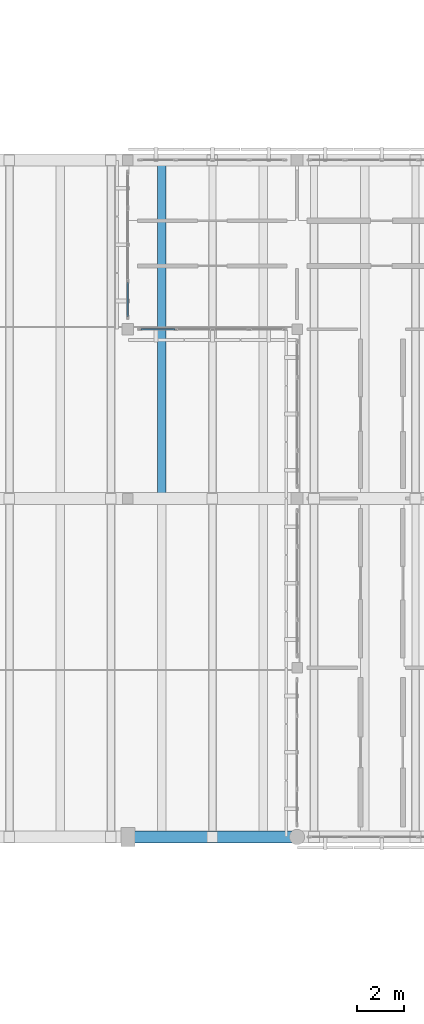
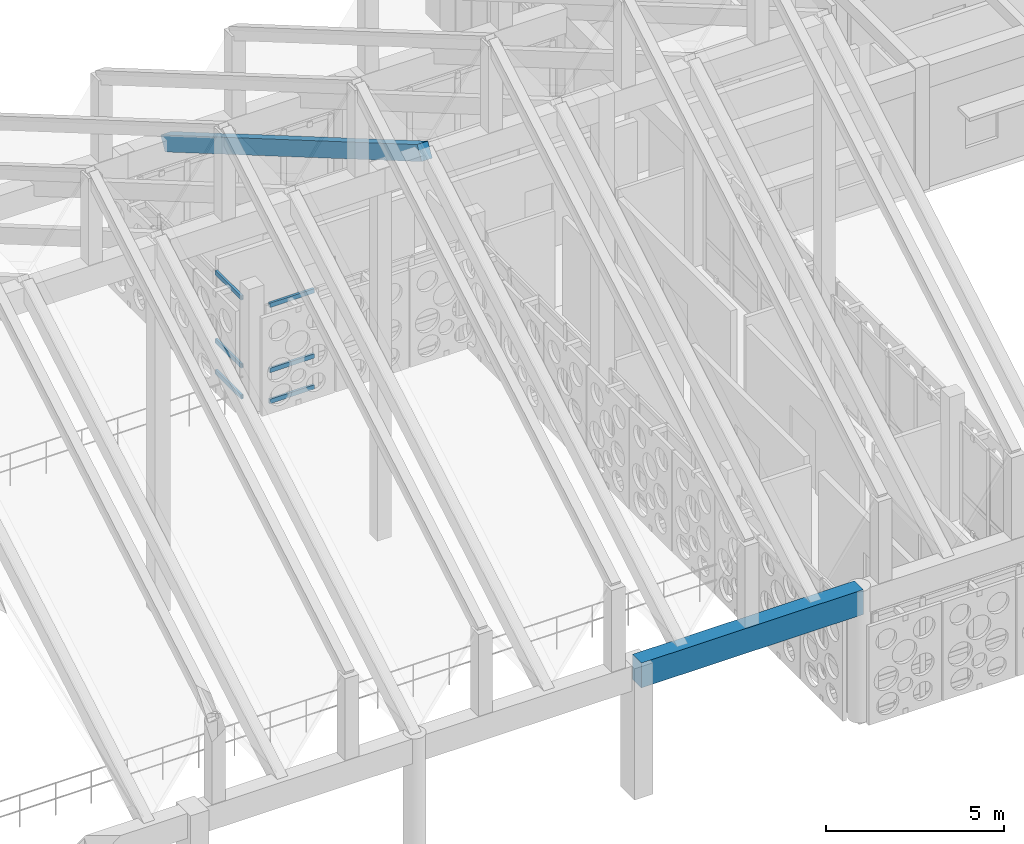
# One storey, part 34 of 171: 6 members, 2 beams, 2 elements without a shape of their own.
"""IFC4 building model written with IfcOpenShell, lengths in metres."""

from ifc_helpers import new_model, si_unit, direction, frame, origin, origin_2d, place, context, subcontext, project, spatial, rectangle, hollow_rectangle, extrude, material, material_profile, profile_set, type_object, element, aggregate, save


model = new_model("IFC4")

# Units and contexts
model_context = context("Model", 3, precision=1e-05, world=origin(), true_north=direction((0.0, 1.0)))
body_context = subcontext(model_context, "Body", "Model", "MODEL_VIEW")
ifc_project = project(units=[si_unit("LENGTHUNIT", "METRE"), si_unit("AREAUNIT", "SQUARE_METRE"), si_unit("VOLUMEUNIT", "CUBIC_METRE"), si_unit("PLANEANGLEUNIT", "RADIAN"), si_unit("MASSUNIT", "GRAM", prefix="KILO")], contexts=[model_context])

# Site, building, storey
site_placement = place(None, origin())
site = spatial("IfcSite", under=ifc_project, at=site_placement, CompositionType="ELEMENT")
building_placement = place(site_placement, origin())
building = spatial("IfcBuilding", under=site, at=building_placement, Name="Aldebral Square Health Centre", CompositionType="ELEMENT")
storey_placement = place(building_placement, frame((0.0, 0.0, 4.5)))
storey = spatial("IfcBuildingStorey", under=building, at=storey_placement, Name="L01", CompositionType="ELEMENT", Elevation=4.5)

# Beams
ifc_material_1 = material(Name="Concrete C40/50", Category="concrete")
ifc_material_profile_1 = material_profile(ifc_material_1, rectangle(XDim=0.5, YDim=0.85009765625, at=origin_2d()), Name="RC 500x850")
ifc_profile_set_1 = profile_set([ifc_material_profile_1], Name="Concrete C40/50")
beam_type_1 = type_object("IfcBeamType", Name="BM-G1", PredefinedType="T_BEAM", material=ifc_profile_set_1)
beam_1_placement = place(storey_placement, frame((93.60009765625, 72.0, 4.074951171875), z_axis=(1.0, 0.0, 0.0), x_axis=(0.0, 1.0, 0.0)))
element("IfcBeam", 1, at=beam_1_placement, inside=storey, type_object=beam_type_1, Name="Waiting Hall diaphragm girder EAVE-S 14", PredefinedType="T_BEAM", context=body_context, shape_type="SweptSolid", body=[
    extrude(rectangle(XDim=0.5, YDim=0.85009765625, at=origin_2d()), origin(), (0.0, 0.0, 1.0), 7.199951171875),
])
ifc_material_profile_2 = material_profile(ifc_material_1, rectangle(XDim=0.35009765625, YDim=0.5, at=origin_2d()), Name="RC 350x500")
ifc_profile_set_2 = profile_set([ifc_material_profile_2], Name="Concrete C40/50")
beam_type_2 = type_object("IfcBeamType", Name="BM-SP1", PredefinedType="SPANDREL", material=ifc_profile_set_2)
beam_2_placement = place(storey_placement, frame((95.0400390625, 86.39990234375, 12.64990234375), z_axis=(0.0, 0.863783681228, -0.503862830584), x_axis=(-1.0, 0.0, 0.0)))
element("IfcBeam", 2, at=beam_2_placement, inside=storey, type_object=beam_type_2, Name="Folded-plate north valley beam 8", PredefinedType="SPANDREL", context=body_context, shape_type="SweptSolid", body=[
    extrude(rectangle(XDim=0.35009765625, YDim=0.5, at=origin_2d()), origin(), (0.0, 0.0, 1.0), 16.6708984375),
])

# Curtain wall, members
ifc_material_2 = material(Name="Aluminium and low-E solar glass", Category="aluminium")
curtain_wall_type = type_object("IfcCurtainWallType", Name="CW-HALL-SYS", PredefinedType="USERDEFINED", material=ifc_material_2)
curtain_wall_1_placement = place(storey_placement, origin())
curtain_wall_1 = element("IfcCurtainWall", 3, at=curtain_wall_1_placement, inside=storey, type_object=curtain_wall_type, Name="L01 V1 hall curtain wall L01-V1-13-13-S", ObjectType="HALL_CURTAIN_WALL", PredefinedType="USERDEFINED")
ifc_material_3 = material(Name="Anodised aluminium transom", Category="aluminium")
ifc_material_profile_3 = material_profile(ifc_material_3, hollow_rectangle(XDim=0.074951171875, YDim=0.14990234375, WallThickness=0.00390625, at=origin_2d()), Name="CWT 75x150x4")
ifc_profile_set_3 = profile_set([ifc_material_profile_3], Name="Anodised aluminium transom")
member_type = type_object("IfcMemberType", Name="CWT-STD", PredefinedType="USERDEFINED", material=ifc_profile_set_3)
member_1_placement = place(storey_placement, frame((94.155029296875, 93.60009765625, 0.03759765625), z_axis=(1.0, 0.0, 0.0), x_axis=(0.0, 1.0, 0.0)))
member_1 = element("IfcMember", 4, at=member_1_placement, type_object=member_type, Name="CW2 transom 1.1", ObjectType="TRANSOM", PredefinedType="USERDEFINED", context=body_context, shape_type="SweptSolid", body=[
    extrude(hollow_rectangle(XDim=0.074951171875, YDim=0.14990234375, WallThickness=0.00390625, at=origin_2d()), origin(), (0.0, 0.0, 1.0), 1.447509765625),
])
member_2_placement = place(storey_placement, frame((94.155029296875, 93.60009765625, 1.10009765625), z_axis=(1.0, 0.0, 0.0), x_axis=(0.0, 1.0, 0.0)))
member_2 = element("IfcMember", 5, at=member_2_placement, type_object=member_type, Name="CW2 transom 1.2", ObjectType="TRANSOM", PredefinedType="USERDEFINED", context=body_context, shape_type="SweptSolid", body=[
    extrude(hollow_rectangle(XDim=0.074951171875, YDim=0.14990234375, WallThickness=0.00390625, at=origin_2d()), origin(), (0.0, 0.0, 1.0), 1.447509765625),
])
member_3_placement = place(storey_placement, frame((94.155029296875, 93.60009765625, 3.33251953125), z_axis=(1.0, 0.0, 0.0), x_axis=(0.0, 1.0, 0.0)))
member_3 = element("IfcMember", 6, at=member_3_placement, type_object=member_type, Name="CW2 transom 1.3", ObjectType="TRANSOM", PredefinedType="USERDEFINED", context=body_context, shape_type="SweptSolid", body=[
    extrude(hollow_rectangle(XDim=0.074951171875, YDim=0.14990234375, WallThickness=0.00390625, at=origin_2d()), origin(), (0.0, 0.0, 1.0), 1.447509765625),
])
aggregate(curtain_wall_1, [member_1, member_2, member_3])

curtain_wall_2_placement = place(storey_placement, origin())
curtain_wall_2 = element("IfcCurtainWall", 7, at=curtain_wall_2_placement, inside=storey, type_object=curtain_wall_type, Name="L01 V1 hall curtain wall L01-V1-13-13-W", ObjectType="HALL_CURTAIN_WALL", PredefinedType="USERDEFINED")
member_4_placement = place(storey_placement, frame((93.60009765625, 95.6025390625, 0.03759765625), z_axis=(0.0, -1.0, 0.0), x_axis=(1.0, 0.0, 0.0)))
member_4 = element("IfcMember", 8, at=member_4_placement, type_object=member_type, Name="CW2 transom 4.1", ObjectType="TRANSOM", PredefinedType="USERDEFINED", context=body_context, shape_type="SweptSolid", body=[
    extrude(hollow_rectangle(XDim=0.074951171875, YDim=0.14990234375, WallThickness=0.00390625, at=origin_2d()), origin(), (0.0, 0.0, 1.0), 1.447509765625),
])
member_5_placement = place(storey_placement, frame((93.60009765625, 95.6025390625, 1.10009765625), z_axis=(0.0, -1.0, 0.0), x_axis=(1.0, 0.0, 0.0)))
member_5 = element("IfcMember", 9, at=member_5_placement, type_object=member_type, Name="CW2 transom 4.2", ObjectType="TRANSOM", PredefinedType="USERDEFINED", context=body_context, shape_type="SweptSolid", body=[
    extrude(hollow_rectangle(XDim=0.074951171875, YDim=0.14990234375, WallThickness=0.00390625, at=origin_2d()), origin(), (0.0, 0.0, 1.0), 1.447509765625),
])
member_6_placement = place(storey_placement, frame((93.60009765625, 95.6025390625, 3.4326171875), z_axis=(0.0, -1.0, 0.0), x_axis=(1.0, 0.0, 0.0)))
member_6 = element("IfcMember", 10, at=member_6_placement, type_object=member_type, Name="CW2 transom 4.3", ObjectType="TRANSOM", PredefinedType="USERDEFINED", context=body_context, shape_type="SweptSolid", body=[
    extrude(hollow_rectangle(XDim=0.074951171875, YDim=0.14990234375, WallThickness=0.00390625, at=origin_2d()), origin(), (0.0, 0.0, 1.0), 1.447509765625),
])
aggregate(curtain_wall_2, [member_4, member_5, member_6])

save(model, "model.ifc")
